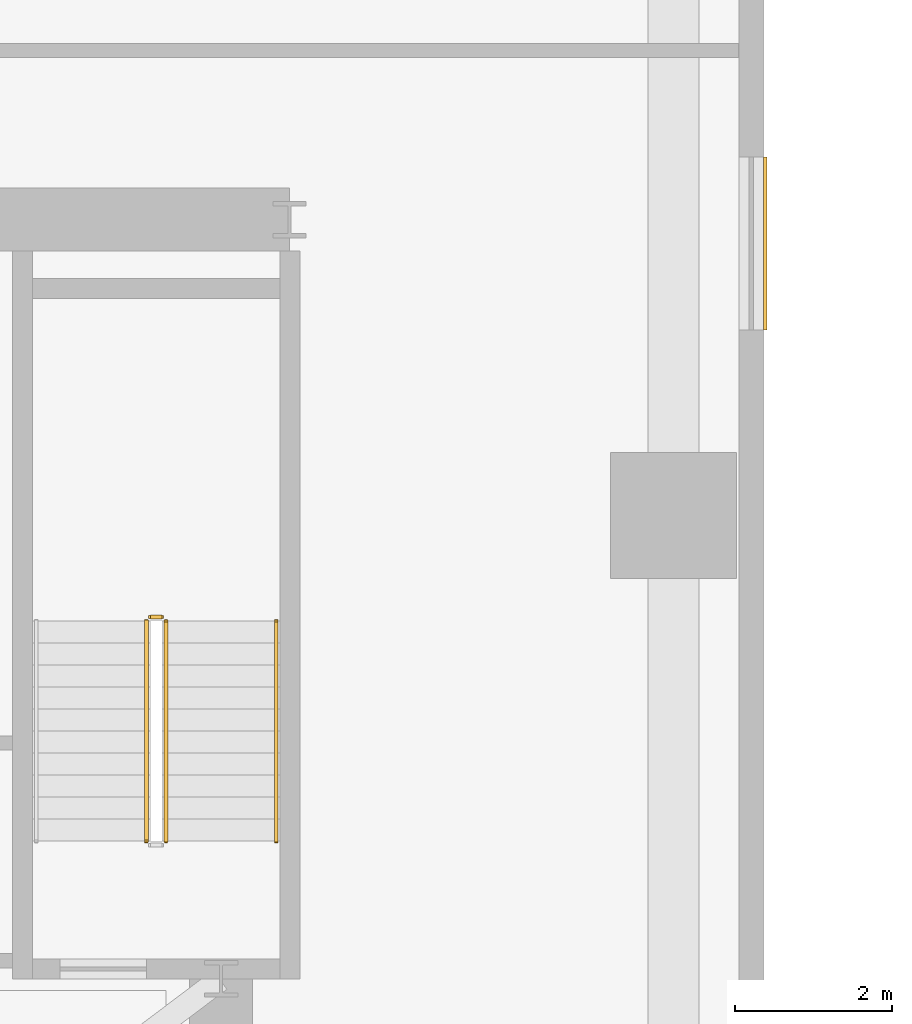
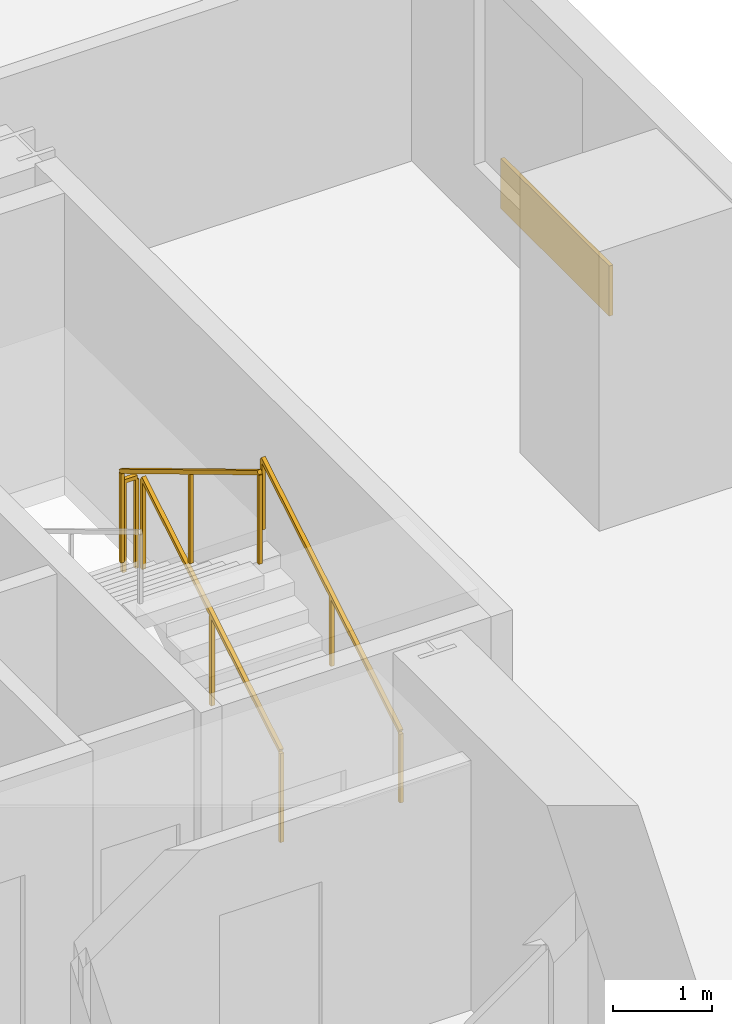
# One storey, part 14 of 14: 4 railings, 1 covering.
"""IFC4 building model written with IfcOpenShell, lengths in metres."""

from ifc_helpers import new_model, si_unit, direction, frame, origin, origin_2d, place, context, subcontext, project, spatial, rectangle, extrude, source, transform, mapped, material, layer, layer_set, type_object, element, save


model = new_model("IFC4")

# Units and contexts
model_context = context("Model", 3, precision=1e-05, world=origin(), true_north=direction((0.0, 1.0)))
body_context = subcontext(model_context, "Body", "Model", "MODEL_VIEW")
ifc_project = project(units=[si_unit("LENGTHUNIT", "METRE"), si_unit("AREAUNIT", "SQUARE_METRE"), si_unit("VOLUMEUNIT", "CUBIC_METRE"), si_unit("PLANEANGLEUNIT", "RADIAN"), si_unit("MASSUNIT", "GRAM", prefix="KILO")], contexts=[model_context])

# Site, building, storey
site_placement = place(None, origin())
site = spatial("IfcSite", under=ifc_project, at=site_placement, CompositionType="ELEMENT")
building_placement = place(site_placement, origin())
building = spatial("IfcBuilding", under=site, at=building_placement, Name="Vardaveli Station Tower", CompositionType="ELEMENT")
storey_placement = place(building_placement, frame((0.0, 0.0, 129.800048828125)))
storey = spatial("IfcBuildingStorey", under=building, at=storey_placement, Name="L33", CompositionType="ELEMENT", Elevation=129.800048828125)

# Covering
ifc_material_1 = material(Name="Ventilated honed travertine stone cladding", Category="masonry")
ifc_layer = layer(ifc_material_1, 0.044921875, Name="Ventilated honed travertine stone cladding")
ifc_layer_set = layer_set([ifc_layer], Name="Ventilated honed travertine stone cladding")
covering_type = type_object("IfcCoveringType", Name="COV-CLAD-TR45", PredefinedType="CLADDING", material=ifc_layer_set)
shared_shape_1 = source(origin(), body_context, "Body", "SweptSolid", [
    extrude(rectangle(XDim=2.199951171875, YDim=0.044921875, at=origin_2d()), origin(), (0.0, 0.0, 1.0), 0.6201171875),
])
covering_placement = place(storey_placement, frame((53.41455078125, 39.9951171875, 0.06982421875), z_axis=(0.0, 0.0, 1.0), x_axis=(0.0, 1.0, 0.0)))
element("IfcCovering", 1, at=covering_placement, inside=storey, type_object=covering_type, Name="CLD-TR-L33-E", PredefinedType="CLADDING", context=body_context, shape_type="MappedRepresentation", body=[
    mapped(shared_shape_1, transform((0.0, 0.0, 0.0), scale=1.0)),
])

# Railings
ifc_material_2 = material(Name="Brushed AISI 316 stainless steel", Category="steel")
railing_type_1 = type_object("IfcRailingType", Name="RL-GUARD-1150", PredefinedType="GUARDRAIL", material=ifc_material_2)
shared_shape_2 = source(origin(), body_context, "Body", "SweptSolid", [
    extrude(rectangle(XDim=0.048095703125, YDim=0.048095703125, at=origin_2d()), frame((0.0, 0.0, 1.1259765625), z_axis=(-1.0, 0.0, 0.0), x_axis=(0.0, -1.0, 0.0)), (0.0, 0.0, 1.0), 0.14990234375),
    extrude(rectangle(XDim=0.0419921875, YDim=0.0419921875, at=origin_2d()), origin(), (0.0, 0.0, 1.0), 1.101806640625),
    extrude(rectangle(XDim=0.0419921875, YDim=0.0419921875, at=origin_2d()), frame((-0.14990234375, 0.0, 0.0)), (0.0, 0.0, 1.0), 1.101806640625),
])
railing_1_placement = place(storey_placement, frame((45.75, 35.25, 1.849853515625)))
element("IfcRailing", 2, at=railing_1_placement, inside=storey, type_object=railing_type_1, Name="L33 ST-3 stair guard 2", PredefinedType="GUARDRAIL", context=body_context, shape_type="MappedRepresentation", body=[
    mapped(shared_shape_2, transform((0.0, 0.0, 0.0), scale=1.0)),
])
shared_shape_3 = source(origin(), body_context, "Body", "SweptSolid", [
    extrude(rectangle(XDim=0.048095703125, YDim=0.048095703125, at=origin_2d()), frame((0.0, 0.0, 1.1259765625), z_axis=(0.0, 0.857275202839, 0.514858452973), x_axis=(-1.0, 0.0, 0.0)), (0.0, 0.0, 1.0), 3.26611328125),
    extrude(rectangle(XDim=0.0419921875, YDim=0.0419921875, at=origin_2d()), origin(), (0.0, 0.0, 1.0), 1.101806640625),
    extrude(rectangle(XDim=0.0419921875, YDim=0.0419921875, at=origin_2d()), frame((0.0, 1.39990234375, 0.8408203125)), (0.0, 0.0, 1.0), 1.101806640625),
    extrude(rectangle(XDim=0.0419921875, YDim=0.0419921875, at=origin_2d()), frame((0.0, 2.800048828125, 1.681640625)), (0.0, 0.0, 1.0), 1.101806640625),
])
railing_2_placement = place(storey_placement, frame((45.800048828125, 32.39990234375, 0.168212890625)))
element("IfcRailing", 3, at=railing_2_placement, inside=storey, type_object=railing_type_1, Name="L33 ST-3 stair guard 1", PredefinedType="GUARDRAIL", context=body_context, shape_type="MappedRepresentation", body=[
    mapped(shared_shape_3, transform((0.0, 0.0, 0.0), scale=1.0)),
])
shared_shape_4 = source(origin(), body_context, "Body", "SweptSolid", [
    extrude(rectangle(XDim=0.048095703125, YDim=0.048095703125, at=origin_2d()), frame((0.0, 0.0, 1.1259765625), z_axis=(0.0, -0.857242210791, 0.514913383045), x_axis=(1.0, 0.0, 0.0)), (0.0, 0.0, 1.0), 3.266357421875),
    extrude(rectangle(XDim=0.0419921875, YDim=0.0419921875, at=origin_2d()), origin(), (0.0, 0.0, 1.0), 1.101806640625),
    extrude(rectangle(XDim=0.0419921875, YDim=0.0419921875, at=origin_2d()), frame((0.0, -1.39990234375, 0.8408203125)), (0.0, 0.0, 1.0), 1.101806640625),
    extrude(rectangle(XDim=0.0419921875, YDim=0.0419921875, at=origin_2d()), frame((0.0, -2.800048828125, 1.681884765625)), (0.0, 0.0, 1.0), 1.101806640625),
])
railing_3_placement = place(storey_placement, frame((45.550048828125, 35.199951171875, 2.01806640625)))
element("IfcRailing", 4, at=railing_3_placement, inside=storey, type_object=railing_type_1, Name="L33 ST-3 stair guard 3", PredefinedType="GUARDRAIL", context=body_context, shape_type="MappedRepresentation", body=[
    mapped(shared_shape_4, transform((0.0, 0.0, 0.0), scale=1.0)),
])
railing_type_2 = type_object("IfcRailingType", Name="RL-HAND-900", PredefinedType="HANDRAIL", material=ifc_material_2)
shared_shape_5 = source(origin(), body_context, "Body", "SweptSolid", [
    extrude(rectangle(XDim=0.048095703125, YDim=0.048095703125, at=origin_2d()), frame((0.0, 0.0, 0.8759765625), z_axis=(0.0, 0.857275202839, 0.514858452973), x_axis=(-1.0, 0.0, 0.0)), (0.0, 0.0, 1.0), 3.26611328125),
    extrude(rectangle(XDim=0.0419921875, YDim=0.0419921875, at=origin_2d()), origin(), (0.0, 0.0, 1.0), 0.851806640625),
    extrude(rectangle(XDim=0.0419921875, YDim=0.0419921875, at=origin_2d()), frame((0.0, 1.39990234375, 0.8408203125)), (0.0, 0.0, 1.0), 0.851806640625),
    extrude(rectangle(XDim=0.0419921875, YDim=0.0419921875, at=origin_2d()), frame((0.0, 2.800048828125, 1.681640625)), (0.0, 0.0, 1.0), 0.851806640625),
])
railing_4_placement = place(storey_placement, frame((47.199951171875, 32.39990234375, 0.168212890625)))
element("IfcRailing", 5, at=railing_4_placement, inside=storey, type_object=railing_type_2, Name="L33 ST-3 stair handrail 1", PredefinedType="HANDRAIL", context=body_context, shape_type="MappedRepresentation", body=[
    mapped(shared_shape_5, transform((0.0, 0.0, 0.0), scale=1.0)),
])

save(model, "model.ifc")
